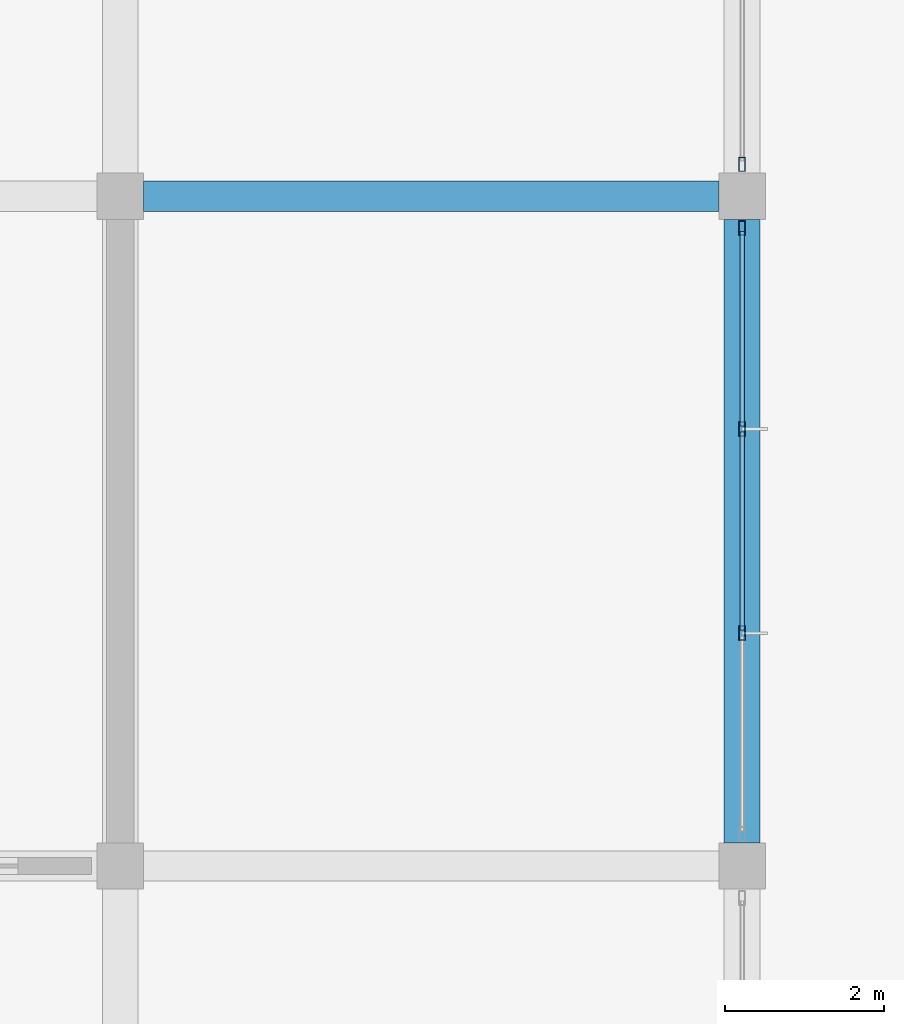
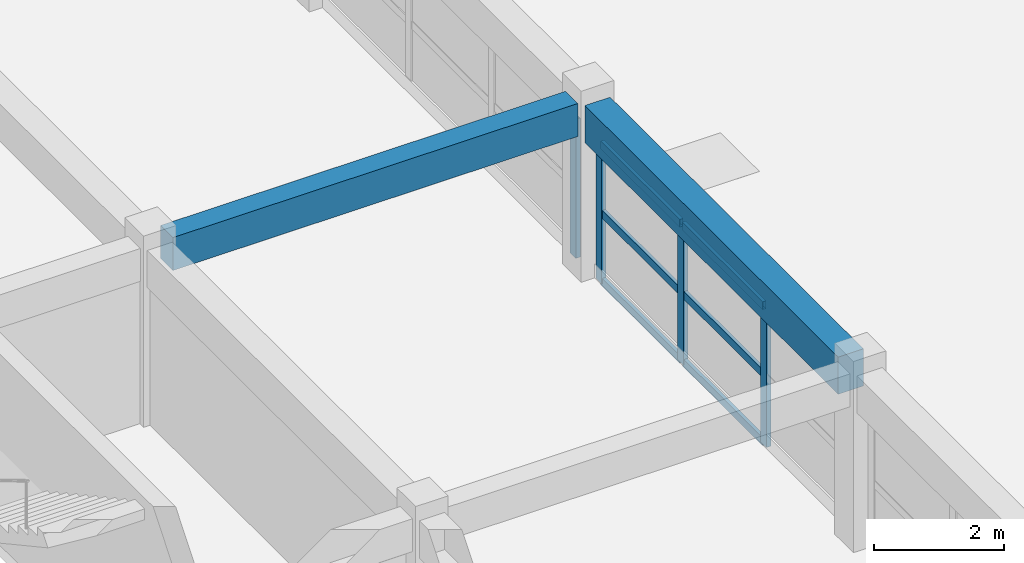
# One storey, part 57 of 101: 10 members, 2 beams, 2 elements without a shape of their own.
"""IFC4 building model written with IfcOpenShell, lengths in metres."""

from ifc_helpers import new_model, si_unit, direction, frame, origin, origin_2d, place, context, subcontext, project, spatial, rectangle, hollow_rectangle, extrude, material, layer, layer_set, material_profile, profile_set, type_object, element, aggregate, save


model = new_model("IFC4")

# Units and contexts
model_context = context("Model", 3, precision=1e-05, world=origin(), true_north=direction((0.0, 1.0)))
body_context = subcontext(model_context, "Body", "Model", "MODEL_VIEW")
ifc_project = project(units=[si_unit("LENGTHUNIT", "METRE"), si_unit("AREAUNIT", "SQUARE_METRE"), si_unit("VOLUMEUNIT", "CUBIC_METRE"), si_unit("PLANEANGLEUNIT", "RADIAN"), si_unit("MASSUNIT", "GRAM", prefix="KILO")], contexts=[model_context])

# Site, building, storey
site_placement = place(None, origin())
site = spatial("IfcSite", under=ifc_project, at=site_placement, CompositionType="ELEMENT")
building_placement = place(site_placement, origin())
building = spatial("IfcBuilding", under=site, at=building_placement, Name="Zizhar Promenade General Hospital", CompositionType="ELEMENT")
storey_placement = place(building_placement, frame((0.0, 0.0, 14.39990234375)))
storey = spatial("IfcBuildingStorey", under=building, at=storey_placement, Name="L03", CompositionType="ELEMENT", Elevation=14.39990234375)

# Beams
ifc_material_1 = material(Name="Concrete C35/45", Category="concrete")
ifc_material_profile_1 = material_profile(ifc_material_1, rectangle(XDim=0.3798828125, YDim=0.6201171875, at=origin_2d()))
ifc_profile_set_1 = profile_set([ifc_material_profile_1], Name="Concrete C35/45")
beam_type_1 = type_object("IfcBeamType", Name="BM-RC-380x620", PredefinedType="JOIST", material=ifc_profile_set_1)
beam_1_placement = place(storey_placement, frame((179.68994140625, 58.800048828125, 3.0), z_axis=(1.0, 0.0, 0.0), x_axis=(0.0, 1.0, 0.0)))
element("IfcBeam", 1, at=beam_1_placement, inside=storey, type_object=beam_type_1, Name="Grid Beam X L03 (23-7)", PredefinedType="JOIST", context=body_context, shape_type="SweptSolid", body=[
    extrude(rectangle(XDim=0.3798828125, YDim=0.6201171875, at=origin_2d()), origin(), (0.0, 0.0, 1.0), 7.219970703125),
])
ifc_material_2 = material(Name="Concrete C35/45", Category="concrete")
ifc_material_profile_2 = material_profile(ifc_material_2, rectangle(XDim=0.449951171875, YDim=0.699951171875, at=origin_2d()))
ifc_profile_set_2 = profile_set([ifc_material_profile_2], Name="Concrete C35/45")
beam_type_2 = type_object("IfcBeamType", Name="BM-RC-450x700", PredefinedType="BEAM", material=ifc_profile_set_2)
beam_2_placement = place(storey_placement, frame((187.199951171875, 50.68994140625, 2.960205078125), z_axis=(0.0, 1.0, 0.0), x_axis=(-1.0, 0.0, 0.0)))
element("IfcBeam", 2, at=beam_2_placement, inside=storey, type_object=beam_type_2, Name="Grid Beam Y L03 (24-6)", PredefinedType="BEAM", context=body_context, shape_type="SweptSolid", body=[
    extrude(rectangle(XDim=0.449951171875, YDim=0.699951171875, at=origin_2d()), origin(), (0.0, 0.0, 1.0), 7.820068359375),
])

# Curtain wall, members
ifc_material_3 = material(Name="Anodised aluminium 6063-T6 and low-E glass", Category="aluminium")
ifc_layer = layer(ifc_material_3, 0.159912109375)
ifc_layer_set = layer_set([ifc_layer], Name="Anodised aluminium 6063-T6 and low-E glass")
curtain_wall_type = type_object("IfcCurtainWallType", Name="CW-CLN-L03", PredefinedType="NOTDEFINED", material=ifc_layer_set)
curtain_wall_1_placement = place(storey_placement, origin())
curtain_wall_1 = element("IfcCurtainWall", 3, at=curtain_wall_1_placement, inside=storey, type_object=curtain_wall_type, Name="L03 Clinic Pavilion East Glazing 6", PredefinedType="NOTDEFINED")
ifc_material_4 = material(Name="Anodised aluminium 6063-T6", Category="aluminium")
ifc_material_profile_3 = material_profile(ifc_material_4, hollow_rectangle(XDim=0.080078125, YDim=0.179931640625, WallThickness=0.0048828125, at=origin_2d()))
ifc_profile_set_3 = profile_set([ifc_material_profile_3], Name="Anodised aluminium 6063-T6")
member_type_1 = type_object("IfcMemberType", Name="CWM-ALU-180x80", PredefinedType="MULLION", material=ifc_profile_set_3)
member_1_placement = place(storey_placement, frame((187.199951171875, 58.39990234375, 0.0), z_axis=(0.0, 0.0, 1.0), x_axis=(1.0, 0.0, 0.0)))
member_1 = element("IfcMember", 4, at=member_1_placement, type_object=member_type_1, Name="CW-11 mullion 1", PredefinedType="MULLION", context=body_context, shape_type="SweptSolid", body=[
    extrude(hollow_rectangle(XDim=0.080078125, YDim=0.179931640625, WallThickness=0.0048828125, at=origin_2d()), origin(), (0.0, 0.0, 1.0), 2.6201171875),
])
member_2_placement = place(storey_placement, frame((187.199951171875, 55.8798828125, 0.0), z_axis=(0.0, 0.0, 1.0), x_axis=(1.0, 0.0, 0.0)))
member_2 = element("IfcMember", 5, at=member_2_placement, type_object=member_type_1, Name="CW-11 mullion 2", PredefinedType="MULLION", context=body_context, shape_type="SweptSolid", body=[
    extrude(hollow_rectangle(XDim=0.080078125, YDim=0.179931640625, WallThickness=0.0048828125, at=origin_2d()), origin(), (0.0, 0.0, 1.0), 2.6201171875),
])
member_3_placement = place(storey_placement, frame((187.199951171875, 53.320068359375, 0.0), z_axis=(0.0, 0.0, 1.0), x_axis=(1.0, 0.0, 0.0)))
member_3 = element("IfcMember", 6, at=member_3_placement, type_object=member_type_1, Name="CW-11 mullion 3", PredefinedType="MULLION", context=body_context, shape_type="SweptSolid", body=[
    extrude(hollow_rectangle(XDim=0.080078125, YDim=0.179931640625, WallThickness=0.0048828125, at=origin_2d()), origin(), (0.0, 0.0, 1.0), 2.6201171875),
])

# Curtain wall, member
curtain_wall_2_placement = place(storey_placement, origin())
curtain_wall_2 = element("IfcCurtainWall", 7, at=curtain_wall_2_placement, inside=storey, type_object=curtain_wall_type, Name="L03 Clinic Pavilion East Glazing 7", PredefinedType="NOTDEFINED")
member_4_placement = place(storey_placement, frame((187.199951171875, 59.199951171875, 0.0), z_axis=(0.0, 0.0, 1.0), x_axis=(1.0, 0.0, 0.0)))
member_4 = element("IfcMember", 8, at=member_4_placement, type_object=member_type_1, Name="CW-11 mullion 4", PredefinedType="MULLION", context=body_context, shape_type="SweptSolid", body=[
    extrude(hollow_rectangle(XDim=0.080078125, YDim=0.179931640625, WallThickness=0.0048828125, at=origin_2d()), origin(), (0.0, 0.0, 1.0), 2.6201171875),
])
aggregate(curtain_wall_2, [member_4])

# Member
ifc_material_5 = material(Name="Anodised aluminium 6063-T6", Category="aluminium")
ifc_material_profile_4 = material_profile(ifc_material_5, hollow_rectangle(XDim=0.06005859375, YDim=0.14990234375, WallThickness=0.00390625, at=origin_2d()))
ifc_profile_set_4 = profile_set([ifc_material_profile_4], Name="Anodised aluminium 6063-T6")
member_type_2 = type_object("IfcMemberType", Name="CWT-ALU-150x60", PredefinedType="USERDEFINED", material=ifc_profile_set_4)
member_5_placement = place(storey_placement, frame((187.199951171875, 58.360107421875, 0.030029296875), z_axis=(0.0, -1.0, 0.0), x_axis=(1.0, 0.0, 0.0)))
member_5 = element("IfcMember", 9, at=member_5_placement, type_object=member_type_2, Name="CW-11 transom 1.1", ObjectType="TRANSOM", PredefinedType="USERDEFINED", context=body_context, shape_type="SweptSolid", body=[
    extrude(hollow_rectangle(XDim=0.06005859375, YDim=0.14990234375, WallThickness=0.00390625, at=origin_2d()), origin(), (0.0, 0.0, 1.0), 2.440185546875),
])

member_6_placement = place(storey_placement, frame((187.199951171875, 58.360107421875, 1.31005859375), z_axis=(0.0, -1.0, 0.0), x_axis=(1.0, 0.0, 0.0)))
member_6 = element("IfcMember", 10, at=member_6_placement, type_object=member_type_2, Name="CW-11 transom 1.2", ObjectType="TRANSOM", PredefinedType="USERDEFINED", context=body_context, shape_type="SweptSolid", body=[
    extrude(hollow_rectangle(XDim=0.06005859375, YDim=0.14990234375, WallThickness=0.00390625, at=origin_2d()), origin(), (0.0, 0.0, 1.0), 2.440185546875),
])

member_7_placement = place(storey_placement, frame((187.199951171875, 58.360107421875, 2.590087890625), z_axis=(0.0, -1.0, 0.0), x_axis=(1.0, 0.0, 0.0)))
member_7 = element("IfcMember", 11, at=member_7_placement, type_object=member_type_2, Name="CW-11 transom 1.3", ObjectType="TRANSOM", PredefinedType="USERDEFINED", context=body_context, shape_type="SweptSolid", body=[
    extrude(hollow_rectangle(XDim=0.06005859375, YDim=0.14990234375, WallThickness=0.00390625, at=origin_2d()), origin(), (0.0, 0.0, 1.0), 2.440185546875),
])

member_8_placement = place(storey_placement, frame((187.199951171875, 55.840087890625, 0.030029296875), z_axis=(0.0, -1.0, 0.0), x_axis=(1.0, 0.0, 0.0)))
member_8 = element("IfcMember", 12, at=member_8_placement, type_object=member_type_2, Name="CW-11 transom 2.1", ObjectType="TRANSOM", PredefinedType="USERDEFINED", context=body_context, shape_type="SweptSolid", body=[
    extrude(hollow_rectangle(XDim=0.06005859375, YDim=0.14990234375, WallThickness=0.00390625, at=origin_2d()), origin(), (0.0, 0.0, 1.0), 2.47998046875),
])

member_9_placement = place(storey_placement, frame((187.199951171875, 55.840087890625, 1.31005859375), z_axis=(0.0, -1.0, 0.0), x_axis=(1.0, 0.0, 0.0)))
member_9 = element("IfcMember", 13, at=member_9_placement, type_object=member_type_2, Name="CW-11 transom 2.2", ObjectType="TRANSOM", PredefinedType="USERDEFINED", context=body_context, shape_type="SweptSolid", body=[
    extrude(hollow_rectangle(XDim=0.06005859375, YDim=0.14990234375, WallThickness=0.00390625, at=origin_2d()), origin(), (0.0, 0.0, 1.0), 2.47998046875),
])

member_10_placement = place(storey_placement, frame((187.199951171875, 55.840087890625, 2.590087890625), z_axis=(0.0, -1.0, 0.0), x_axis=(1.0, 0.0, 0.0)))
member_10 = element("IfcMember", 14, at=member_10_placement, type_object=member_type_2, Name="CW-11 transom 2.3", ObjectType="TRANSOM", PredefinedType="USERDEFINED", context=body_context, shape_type="SweptSolid", body=[
    extrude(hollow_rectangle(XDim=0.06005859375, YDim=0.14990234375, WallThickness=0.00390625, at=origin_2d()), origin(), (0.0, 0.0, 1.0), 2.47998046875),
])

aggregate(curtain_wall_1, [member_1, member_2, member_3, member_5, member_6, member_7, member_8, member_9, member_10])

save(model, "model.ifc")
